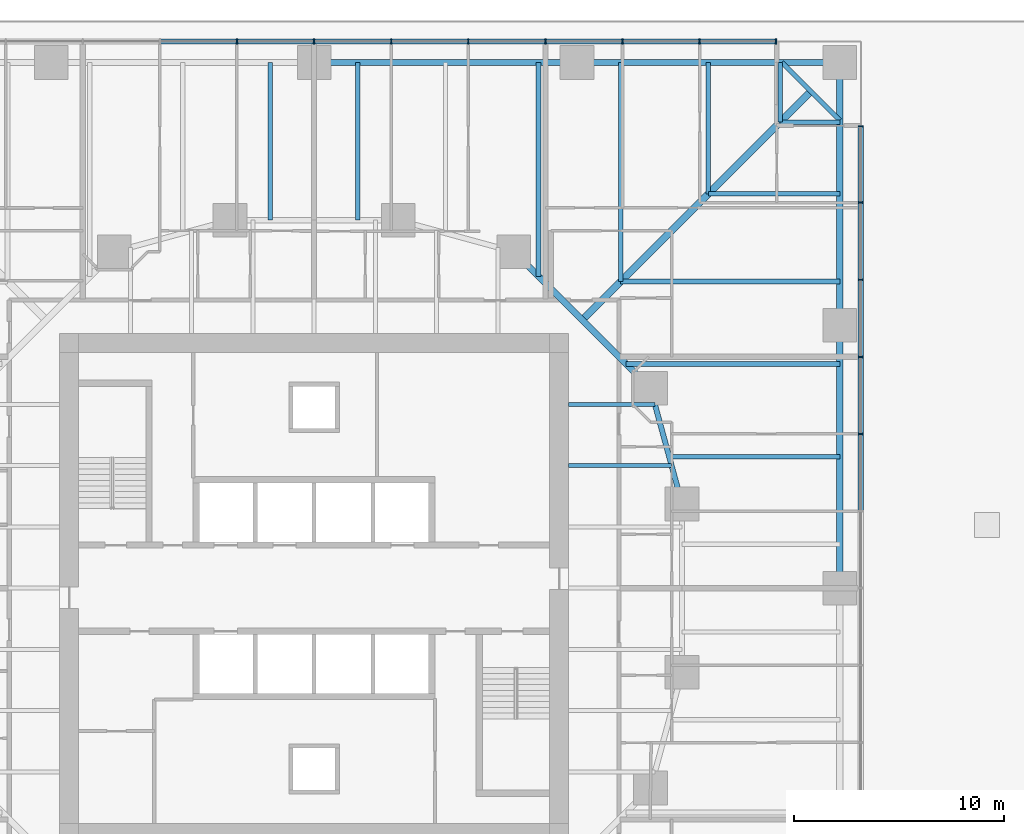
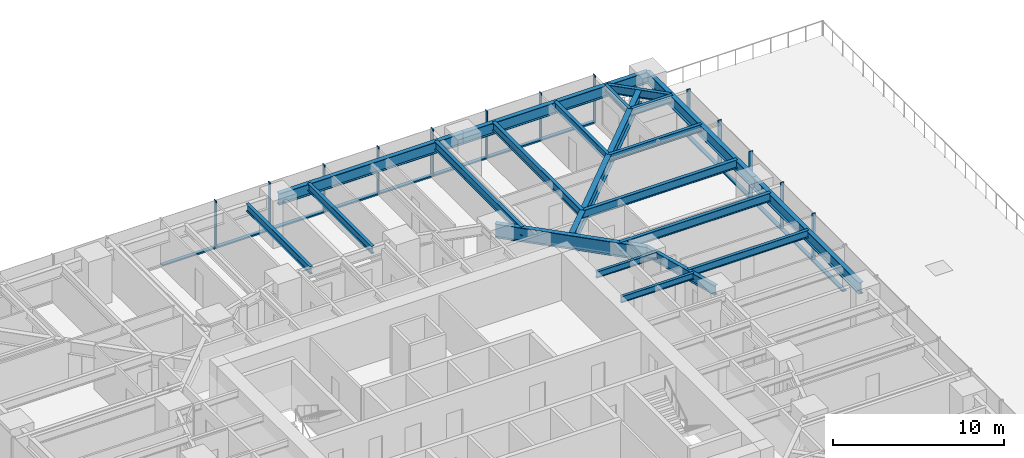
# One storey, part 5 of 15: 26 members, 21 beams, 2 elements without a shape of their own.
"""IFC4 building model written with IfcOpenShell, lengths in metres."""

import ifcopenshell
import ifcopenshell.guid

model = None  # the IFC model being written
_history = None  # IfcOwnerHistory: only IFC2X3 demands one
_inside = {}  # id of a spatial element -> (the spatial element, [elements in it])
_under = {}  # id of a project, library or spatial element -> (it, [spatial elements below it])
_declared = {}  # id of a project -> (the project, [libraries it declares])
_typed = {}  # id of a type object -> (the type object, [elements of that type])
_made_of = {}  # id of a material, layer set ... -> (it, [elements and type objects made of it])


def new_model(schema):
    """Start an empty IFC model of exactly this schema.

    Asked for "IFC4X3", IfcOpenShell would pick the latest addendum, in which some entities
    have other attributes; the version numbers below select the first issue.
    IFC2X3 requires an IfcOwnerHistory on every rooted entity: one is made here for all.
    """
    global model, _history
    if schema == "IFC4X3":
        model = ifcopenshell.file(schema_version=(4, 3, 0, 0))
    else:
        model = ifcopenshell.file(schema=schema)
    _inside.clear()
    _under.clear()
    _declared.clear()
    _typed.clear()
    _made_of.clear()
    _history = None
    if model.schema == "IFC2X3":
        org = make("IfcOrganization", Name="unknown")
        user = make(
            "IfcPersonAndOrganization",
            ThePerson=make("IfcPerson", FamilyName="unknown"),
            TheOrganization=org,
        )
        app = make(
            "IfcApplication",
            ApplicationDeveloper=org,
            Version="unknown",
            ApplicationFullName="unknown",
            ApplicationIdentifier="unknown",
        )
        _history = make(
            "IfcOwnerHistory",
            OwningUser=user,
            OwningApplication=app,
            ChangeAction="ADDED",
            CreationDate=0,
        )
    return model


def make(cls, **values):
    """One entity of the class cls with the attributes given. An attribute that is None is left unset."""
    return model.create_entity(
        cls, **{name: value for name, value in values.items() if value is not None}
    )


def rooted(cls, **values):
    """An entity with a GlobalId (a new one), such as an element, a storey or a relation."""
    return make(cls, GlobalId=ifcopenshell.guid.new(), OwnerHistory=_history, **values)


def si_unit(unit_type, name, prefix=None):
    """IfcSIUnit, for example si_unit("LENGTHUNIT", "METRE", prefix="MILLI")."""
    return make("IfcSIUnit", UnitType=unit_type, Prefix=prefix, Name=name)


def assignment(units):
    """IfcUnitAssignment: the units of a project."""
    return None if units is None else make("IfcUnitAssignment", Units=units)


def point(xyz):
    """IfcCartesianPoint."""
    return None if xyz is None else make("IfcCartesianPoint", Coordinates=xyz)


def direction(xyz):
    """IfcDirection."""
    return None if xyz is None else make("IfcDirection", DirectionRatios=xyz)


def frame(location, z_axis=None, x_axis=None):
    """IfcAxis2Placement3D, a coordinate frame: its origin and axes. An axis left out is left unset."""
    return make(
        "IfcAxis2Placement3D",
        Location=point(location),
        Axis=direction(z_axis),
        RefDirection=direction(x_axis),
    )


def frame_2d(location, x_axis=None):
    """IfcAxis2Placement2D, a coordinate frame in the plane: its origin and x axis."""
    return make(
        "IfcAxis2Placement2D", Location=point(location), RefDirection=direction(x_axis)
    )


def origin():
    """The frame at (0, 0, 0) with its axes left unset."""
    return frame((0.0, 0.0, 0.0))


def origin_2d():
    """The frame at (0, 0) in the plane with its x axis left unset."""
    return frame_2d((0.0, 0.0))


def place(relative_to, where):
    """IfcLocalPlacement: puts the frame where relative to a parent placement (None: the world)."""
    return make(
        "IfcLocalPlacement", PlacementRelTo=relative_to, RelativePlacement=where
    )


def context(
    kind, dimensions, precision=None, world=None, true_north=None, identifier=None
):
    """IfcGeometricRepresentationContext, for example the 3D "Model" context."""
    return make(
        "IfcGeometricRepresentationContext",
        ContextIdentifier=identifier,
        ContextType=kind,
        CoordinateSpaceDimension=dimensions,
        Precision=precision,
        WorldCoordinateSystem=world,
        TrueNorth=true_north,
    )


def subcontext(parent, identifier, kind, view, scale=None):
    """IfcGeometricRepresentationSubContext, for example "Body" below "Model"."""
    return make(
        "IfcGeometricRepresentationSubContext",
        ContextIdentifier=identifier,
        ContextType=kind,
        ParentContext=parent,
        TargetScale=scale,
        TargetView=view,
    )


def project(units=None, contexts=None):
    """IfcProject with its units and contexts."""
    return rooted(
        "IfcProject",
        Name="project",
        RepresentationContexts=contexts,
        UnitsInContext=assignment(units),
    )


def spatial(cls, under=None, at=None, **own):
    """A site, building, storey or space (cls), placed at a placement, below another one or the project."""
    s = rooted(cls, ObjectPlacement=at, **own)
    if under is not None:
        _under.setdefault(under.id(), (under, []))[1].append(s)
    return s


def profile(cls, at=None, kind="AREA", **sizes):
    """A parametric profile (cls). Its sizes go by their IFC names, for example OverallWidth=200.0."""
    return make(cls, ProfileType=kind, Position=at, **sizes)


def rectangle(**sizes):
    """IfcRectangleProfileDef."""
    return profile("IfcRectangleProfileDef", **sizes)


def i_section(**sizes):
    """IfcIShapeProfileDef."""
    return profile("IfcIShapeProfileDef", **sizes)


def extrude(swept, where, along, depth):
    """IfcExtrudedAreaSolid: the profile swept, set in the frame where, extruded along a direction by depth."""
    return make(
        "IfcExtrudedAreaSolid",
        SweptArea=swept,
        Position=where,
        ExtrudedDirection=direction(along),
        Depth=depth,
    )


def shape(context_of_items, identifier, shape_type, items):
    """IfcShapeRepresentation: the items that make up one representation, for example the "Body"."""
    return make(
        "IfcShapeRepresentation",
        ContextOfItems=context_of_items,
        RepresentationIdentifier=identifier,
        RepresentationType=shape_type,
        Items=items,
    )


def material(Name=None, Category=None):
    """IfcMaterial."""
    return make("IfcMaterial", Name=Name, Category=Category)


def material_profile(
    of_material, cross_section, Name=None, Category=None, Priority=None
):
    """IfcMaterialProfile: a cross section and its material."""
    return make(
        "IfcMaterialProfile",
        Name=Name,
        Material=of_material,
        Profile=cross_section,
        Priority=Priority,
        Category=Category,
    )


def profile_set(profiles, Name=None, composite=None):
    """IfcMaterialProfileSet."""
    return make(
        "IfcMaterialProfileSet",
        Name=Name,
        MaterialProfiles=profiles,
        CompositeProfile=composite,
    )


def made_of(thing, what):
    """Note that an element or type object is made of a material, layer set ...; save() writes the relation."""
    if what is not None:
        _made_of.setdefault(what.id(), (what, []))[1].append(thing)
    return thing


def type_object(cls, material=None, **own):
    """A type object (cls), such as IfcWallType, which elements share."""
    return made_of(rooted(cls, **own), material)


def element(
    cls,
    number,
    at=None,
    inside=None,
    cuts=None,
    type_object=None,
    material=None,
    context=None,
    identifier="Body",
    shape_type=None,
    held_by="IfcProductDefinitionShape",
    body=None,
    shapes=None,
    **own,
):
    """One element of the class cls, such as IfcWall. Its Tag is "e" and its number.

    at: its placement. inside: the storey or other place that contains it. cuts: it is an
    opening in that element (IfcRelVoidsElement). A single representation is given by context,
    identifier, shape_type and body (its items); several are given by shapes. held_by: the class
    of the entity that holds the representations. save() writes the other relations.
    """
    e = rooted(cls, Tag="e%d" % number, ObjectPlacement=at, **own)
    if body is not None:
        shapes = [shape(context, identifier, shape_type, body)]
    if shapes is not None:
        e.Representation = make(held_by, Representations=shapes)
    if inside is not None:
        _inside.setdefault(inside.id(), (inside, []))[1].append(e)
    if cuts is not None:
        rooted(
            "IfcRelVoidsElement", RelatingBuildingElement=cuts, RelatedOpeningElement=e
        )
    if type_object is not None:
        _typed.setdefault(type_object.id(), (type_object, []))[1].append(e)
    return made_of(e, material)


def aggregate(whole, parts):
    """IfcRelAggregates: a whole, such as a stair, and the parts it consists of."""
    return rooted("IfcRelAggregates", RelatingObject=whole, RelatedObjects=parts)


def save(model, path):
    """Write the relations noted so far, then the file.

    IfcRelAggregates (storeys below a building ...), IfcRelContainedInSpatialStructure (elements
    in a storey), IfcRelDefinesByType, IfcRelAssociatesMaterial and IfcRelDeclares: one each for
    every whole, place, type object, material and project.
    """
    for whole, parts in _under.values():
        aggregate(whole, parts)
    for where, things in _inside.values():
        rooted(
            "IfcRelContainedInSpatialStructure",
            RelatedElements=things,
            RelatingStructure=where,
        )
    for kind, things in _typed.values():
        rooted("IfcRelDefinesByType", RelatedObjects=things, RelatingType=kind)
    for what, things in _made_of.values():
        rooted("IfcRelAssociatesMaterial", RelatedObjects=things, RelatingMaterial=what)
    for by, libraries in _declared.values():
        rooted("IfcRelDeclares", RelatingContext=by, RelatedDefinitions=libraries)
    model.write(path)


model = new_model("IFC4")

# Units and contexts
model_context = context("Model", 3, precision=1e-05, world=origin(), true_north=direction((0.0, 1.0)))
body_context = subcontext(model_context, "Body", "Model", "MODEL_VIEW")
ifc_project = project(units=[si_unit("LENGTHUNIT", "METRE"), si_unit("AREAUNIT", "SQUARE_METRE"), si_unit("VOLUMEUNIT", "CUBIC_METRE"), si_unit("PLANEANGLEUNIT", "RADIAN"), si_unit("MASSUNIT", "GRAM", prefix="KILO")], contexts=[model_context])

# Site, building, storey
site_placement = place(None, origin())
site = spatial("IfcSite", under=ifc_project, at=site_placement, CompositionType="ELEMENT")
building_placement = place(site_placement, origin())
building = spatial("IfcBuilding", under=site, at=building_placement, Name="Torsade Residences", CompositionType="ELEMENT")
storey_placement = place(building_placement, frame((0.0, 0.0, 15.0)))
storey = spatial("IfcBuildingStorey", under=building, at=storey_placement, Name="L03", CompositionType="ELEMENT", Elevation=15.0)

# Beams
ifc_material_1 = material(Name="Steel grade 300", Category="steel")
ifc_material_profile_1 = material_profile(ifc_material_1, i_section(OverallWidth=0.35009765625, OverallDepth=0.909912109375, WebThickness=0.011962890625, FlangeThickness=0.02490234375, at=origin_2d()), Name="900WB218")
ifc_profile_set_1 = profile_set([ifc_material_profile_1], Name="Steel grade 300")
beam_type_1 = type_object("IfcBeamType", Name="CORNER GIRDER 900WB218", PredefinedType="BEAM", material=ifc_profile_set_1)
beam_1_placement = place(storey_placement, frame((63.625, 53.625, 2.794921875), z_axis=(-0.707106781187, -0.707106781187, 0.0), x_axis=(0.707106781187, -0.707106781187, 0.0)))
element("IfcBeam", 1, at=beam_1_placement, inside=storey, type_object=beam_type_1, Name="Corner girder 09 L04", PredefinedType="BEAM", context=body_context, shape_type="SweptSolid", body=[
    extrude(i_section(OverallWidth=0.35009765625, OverallDepth=0.909912109375, WebThickness=0.011962890625, FlangeThickness=0.02490234375, at=origin_2d()), origin(), (0.0, 0.0, 1.0), 15.379638671875),
])
ifc_material_2 = material(Name="Steel grade 300", Category="steel")
ifc_material_profile_2 = material_profile(ifc_material_2, i_section(OverallWidth=0.22802734375, OverallDepth=0.60205078125, WebThickness=0.010498046875, FlangeThickness=0.014892578125, FilletRadius=0.013916015625, at=origin_2d()), Name="610UB101")
ifc_profile_set_2 = profile_set([ifc_material_profile_2], Name="Steel grade 300")
beam_type_2 = type_object("IfcBeamType", Name="CORNER TRIMMER 610UB101", PredefinedType="BEAM", material=ifc_profile_set_2)
beam_2_placement = place(storey_placement, frame((62.25, 55.0, 2.948974609375), z_axis=(0.707106781187, -0.707106781187, 0.0), x_axis=(0.707106781187, 0.707106781187, 0.0)))
element("IfcBeam", 2, at=beam_2_placement, inside=storey, type_object=beam_type_2, Name="Corner trimmer 09 L04", PredefinedType="BEAM", context=body_context, shape_type="SweptSolid", body=[
    extrude(i_section(OverallWidth=0.22802734375, OverallDepth=0.60205078125, WebThickness=0.010498046875, FlangeThickness=0.014892578125, FilletRadius=0.013916015625, at=origin_2d()), origin(), (0.0, 0.0, 1.0), 3.88916015625),
])

# Curtain wall, members
ifc_material_3 = material(Name="Aluminium and glass", Category="aluminium")
curtain_wall_type = type_object("IfcCurtainWallType", Name="FRITTED GLASS CURTAIN WALL LOW ZONE", PredefinedType="NOTDEFINED", material=ifc_material_3)
curtain_wall_1_placement = place(storey_placement, origin())
curtain_wall_1 = element("IfcCurtainWall", 3, at=curtain_wall_1_placement, inside=storey, type_object=curtain_wall_type, Name="Curtain wall L03 face 4", PredefinedType="NOTDEFINED")
ifc_material_4 = material(Name="Aluminium mullion", Category="aluminium")
ifc_material_profile_3 = material_profile(ifc_material_4, rectangle(XDim=0.25, YDim=0.06494140625, at=origin_2d()), Name="CURTAIN WALL MULLION 250x65")
ifc_profile_set_3 = profile_set([ifc_material_profile_3], Name="Aluminium mullion")
member_type_1 = type_object("IfcMemberType", Name="CURTAIN WALL MULLION 250x65", PredefinedType="MULLION", material=ifc_profile_set_3)
member_1_placement = place(storey_placement, frame((66.0, 37.333251953125, 0.0), z_axis=(0.0, 0.0, 1.0), x_axis=(-1.0, 0.0, 0.0)))
member_1 = element("IfcMember", 4, at=member_1_placement, type_object=member_type_1, Name="Mullion 9", PredefinedType="MULLION", context=body_context, shape_type="SweptSolid", body=[
    extrude(rectangle(XDim=0.25, YDim=0.06494140625, at=origin_2d()), origin(), (0.0, 0.0, 1.0), 3.39990234375),
])
member_2_placement = place(storey_placement, frame((66.0, 41.0, 0.0), z_axis=(0.0, 0.0, 1.0), x_axis=(-1.0, 0.0, 0.0)))
member_2 = element("IfcMember", 5, at=member_2_placement, type_object=member_type_1, Name="Mullion 10", PredefinedType="MULLION", context=body_context, shape_type="SweptSolid", body=[
    extrude(rectangle(XDim=0.25, YDim=0.06494140625, at=origin_2d()), origin(), (0.0, 0.0, 1.0), 3.39990234375),
])
member_3_placement = place(storey_placement, frame((66.0, 44.666748046875, 0.0), z_axis=(0.0, 0.0, 1.0), x_axis=(-1.0, 0.0, 0.0)))
member_3 = element("IfcMember", 6, at=member_3_placement, type_object=member_type_1, Name="Mullion 11", PredefinedType="MULLION", context=body_context, shape_type="SweptSolid", body=[
    extrude(rectangle(XDim=0.25, YDim=0.06494140625, at=origin_2d()), origin(), (0.0, 0.0, 1.0), 3.39990234375),
])
member_4_placement = place(storey_placement, frame((66.0, 48.333251953125, 0.0), z_axis=(0.0, 0.0, 1.0), x_axis=(-1.0, 0.0, 0.0)))
member_4 = element("IfcMember", 7, at=member_4_placement, type_object=member_type_1, Name="Mullion 12", PredefinedType="MULLION", context=body_context, shape_type="SweptSolid", body=[
    extrude(rectangle(XDim=0.25, YDim=0.06494140625, at=origin_2d()), origin(), (0.0, 0.0, 1.0), 3.39990234375),
])
member_5_placement = place(storey_placement, frame((66.0, 51.967529296875, 0.0), z_axis=(0.0, 0.0, 1.0), x_axis=(-1.0, 0.0, 0.0)))
member_5 = element("IfcMember", 8, at=member_5_placement, type_object=member_type_1, Name="Mullion 13", PredefinedType="MULLION", context=body_context, shape_type="SweptSolid", body=[
    extrude(rectangle(XDim=0.25, YDim=0.06494140625, at=origin_2d()), origin(), (0.0, 0.0, 1.0), 3.39990234375),
])

curtain_wall_2_placement = place(storey_placement, origin())
curtain_wall_2 = element("IfcCurtainWall", 9, at=curtain_wall_2_placement, inside=storey, type_object=curtain_wall_type, Name="Curtain wall L03 face 7", PredefinedType="NOTDEFINED")
member_6_placement = place(storey_placement, frame((61.967529296875, 56.0, 0.0), z_axis=(0.0, 0.0, 1.0), x_axis=(0.0, -1.0, 0.0)))
member_6 = element("IfcMember", 10, at=member_6_placement, type_object=member_type_1, Name="Mullion 1", PredefinedType="MULLION", context=body_context, shape_type="SweptSolid", body=[
    extrude(rectangle(XDim=0.25, YDim=0.06494140625, at=origin_2d()), origin(), (0.0, 0.0, 1.0), 3.39990234375),
])
member_7_placement = place(storey_placement, frame((58.333251953125, 56.0, 0.0), z_axis=(0.0, 0.0, 1.0), x_axis=(0.0, -1.0, 0.0)))
member_7 = element("IfcMember", 11, at=member_7_placement, type_object=member_type_1, Name="Mullion 2", PredefinedType="MULLION", context=body_context, shape_type="SweptSolid", body=[
    extrude(rectangle(XDim=0.25, YDim=0.06494140625, at=origin_2d()), origin(), (0.0, 0.0, 1.0), 3.39990234375),
])
member_8_placement = place(storey_placement, frame((54.666748046875, 56.0, 0.0), z_axis=(0.0, 0.0, 1.0), x_axis=(0.0, -1.0, 0.0)))
member_8 = element("IfcMember", 12, at=member_8_placement, type_object=member_type_1, Name="Mullion 3", PredefinedType="MULLION", context=body_context, shape_type="SweptSolid", body=[
    extrude(rectangle(XDim=0.25, YDim=0.06494140625, at=origin_2d()), origin(), (0.0, 0.0, 1.0), 3.39990234375),
])
member_9_placement = place(storey_placement, frame((51.0, 56.0, 0.0), z_axis=(0.0, 0.0, 1.0), x_axis=(0.0, -1.0, 0.0)))
member_9 = element("IfcMember", 13, at=member_9_placement, type_object=member_type_1, Name="Mullion 4", PredefinedType="MULLION", context=body_context, shape_type="SweptSolid", body=[
    extrude(rectangle(XDim=0.25, YDim=0.06494140625, at=origin_2d()), origin(), (0.0, 0.0, 1.0), 3.39990234375),
])
member_10_placement = place(storey_placement, frame((47.333251953125, 56.0, 0.0), z_axis=(0.0, 0.0, 1.0), x_axis=(0.0, -1.0, 0.0)))
member_10 = element("IfcMember", 14, at=member_10_placement, type_object=member_type_1, Name="Mullion 5", PredefinedType="MULLION", context=body_context, shape_type="SweptSolid", body=[
    extrude(rectangle(XDim=0.25, YDim=0.06494140625, at=origin_2d()), origin(), (0.0, 0.0, 1.0), 3.39990234375),
])
member_11_placement = place(storey_placement, frame((43.666748046875, 56.0, 0.0), z_axis=(0.0, 0.0, 1.0), x_axis=(0.0, -1.0, 0.0)))
member_11 = element("IfcMember", 15, at=member_11_placement, type_object=member_type_1, Name="Mullion 6", PredefinedType="MULLION", context=body_context, shape_type="SweptSolid", body=[
    extrude(rectangle(XDim=0.25, YDim=0.06494140625, at=origin_2d()), origin(), (0.0, 0.0, 1.0), 3.39990234375),
])
member_12_placement = place(storey_placement, frame((40.0, 56.0, 0.0), z_axis=(0.0, 0.0, 1.0), x_axis=(0.0, -1.0, 0.0)))
member_12 = element("IfcMember", 16, at=member_12_placement, type_object=member_type_1, Name="Mullion 7", PredefinedType="MULLION", context=body_context, shape_type="SweptSolid", body=[
    extrude(rectangle(XDim=0.25, YDim=0.06494140625, at=origin_2d()), origin(), (0.0, 0.0, 1.0), 3.39990234375),
])
member_13_placement = place(storey_placement, frame((36.333251953125, 56.0, 0.0), z_axis=(0.0, 0.0, 1.0), x_axis=(0.0, -1.0, 0.0)))
member_13 = element("IfcMember", 17, at=member_13_placement, type_object=member_type_1, Name="Mullion 8", PredefinedType="MULLION", context=body_context, shape_type="SweptSolid", body=[
    extrude(rectangle(XDim=0.25, YDim=0.06494140625, at=origin_2d()), origin(), (0.0, 0.0, 1.0), 3.39990234375),
])

# Member
ifc_material_5 = material(Name="Aluminium transom", Category="aluminium")
ifc_material_profile_4 = material_profile(ifc_material_5, rectangle(XDim=0.25, YDim=0.10009765625, at=origin_2d()), Name="CURTAIN WALL TRANSOM 250x100")
ifc_profile_set_4 = profile_set([ifc_material_profile_4], Name="Aluminium transom")
member_type_2 = type_object("IfcMemberType", Name="CURTAIN WALL TRANSOM 250x100", PredefinedType="USERDEFINED", material=ifc_profile_set_4)
member_14_placement = place(storey_placement, frame((66.0, 33.69921875, 0.050048828125), z_axis=(0.0, 1.0, 0.0), x_axis=(-1.0, 0.0, 0.0)))
member_14 = element("IfcMember", 18, at=member_14_placement, type_object=member_type_2, Name="Transom 8.1", ObjectType="TRANSOM", PredefinedType="USERDEFINED", context=body_context, shape_type="SweptSolid", body=[
    extrude(rectangle(XDim=0.25, YDim=0.10009765625, at=origin_2d()), origin(), (0.0, 0.0, 1.0), 3.6015625),
])

member_15_placement = place(storey_placement, frame((66.0, 37.36572265625, 0.050048828125), z_axis=(0.0, 1.0, 0.0), x_axis=(-1.0, 0.0, 0.0)))
member_15 = element("IfcMember", 19, at=member_15_placement, type_object=member_type_2, Name="Transom 9.1", ObjectType="TRANSOM", PredefinedType="USERDEFINED", context=body_context, shape_type="SweptSolid", body=[
    extrude(rectangle(XDim=0.25, YDim=0.10009765625, at=origin_2d()), origin(), (0.0, 0.0, 1.0), 3.601806640625),
])

member_16_placement = place(storey_placement, frame((66.0, 41.032470703125, 0.050048828125), z_axis=(0.0, 1.0, 0.0), x_axis=(-1.0, 0.0, 0.0)))
member_16 = element("IfcMember", 20, at=member_16_placement, type_object=member_type_2, Name="Transom 10.1", ObjectType="TRANSOM", PredefinedType="USERDEFINED", context=body_context, shape_type="SweptSolid", body=[
    extrude(rectangle(XDim=0.25, YDim=0.10009765625, at=origin_2d()), origin(), (0.0, 0.0, 1.0), 3.601806640625),
])

member_17_placement = place(storey_placement, frame((66.0, 44.69921875, 0.050048828125), z_axis=(0.0, 1.0, 0.0), x_axis=(-1.0, 0.0, 0.0)))
member_17 = element("IfcMember", 21, at=member_17_placement, type_object=member_type_2, Name="Transom 11.1", ObjectType="TRANSOM", PredefinedType="USERDEFINED", context=body_context, shape_type="SweptSolid", body=[
    extrude(rectangle(XDim=0.25, YDim=0.10009765625, at=origin_2d()), origin(), (0.0, 0.0, 1.0), 3.6015625),
])

member_18_placement = place(storey_placement, frame((66.0, 48.36572265625, 0.050048828125), z_axis=(0.0, 1.0, 0.0), x_axis=(-1.0, 0.0, 0.0)))
member_18 = element("IfcMember", 22, at=member_18_placement, type_object=member_type_2, Name="Transom 12.1", ObjectType="TRANSOM", PredefinedType="USERDEFINED", context=body_context, shape_type="SweptSolid", body=[
    extrude(rectangle(XDim=0.25, YDim=0.10009765625, at=origin_2d()), origin(), (0.0, 0.0, 1.0), 3.5693359375),
])

aggregate(curtain_wall_1, [member_1, member_2, member_3, member_4, member_5, member_14, member_15, member_16, member_17, member_18])

member_19_placement = place(storey_placement, frame((61.93505859375, 56.0, 0.050048828125), z_axis=(-1.0, 0.0, 0.0), x_axis=(0.0, -1.0, 0.0)))
member_19 = element("IfcMember", 23, at=member_19_placement, type_object=member_type_2, Name="Transom 1.1", ObjectType="TRANSOM", PredefinedType="USERDEFINED", context=body_context, shape_type="SweptSolid", body=[
    extrude(rectangle(XDim=0.25, YDim=0.10009765625, at=origin_2d()), origin(), (0.0, 0.0, 1.0), 3.5693359375),
])

member_20_placement = place(storey_placement, frame((58.30078125, 56.0, 0.050048828125), z_axis=(-1.0, 0.0, 0.0), x_axis=(0.0, -1.0, 0.0)))
member_20 = element("IfcMember", 24, at=member_20_placement, type_object=member_type_2, Name="Transom 2.1", ObjectType="TRANSOM", PredefinedType="USERDEFINED", context=body_context, shape_type="SweptSolid", body=[
    extrude(rectangle(XDim=0.25, YDim=0.10009765625, at=origin_2d()), origin(), (0.0, 0.0, 1.0), 3.6015625),
])

member_21_placement = place(storey_placement, frame((54.63427734375, 56.0, 0.050048828125), z_axis=(-1.0, 0.0, 0.0), x_axis=(0.0, -1.0, 0.0)))
member_21 = element("IfcMember", 25, at=member_21_placement, type_object=member_type_2, Name="Transom 3.1", ObjectType="TRANSOM", PredefinedType="USERDEFINED", context=body_context, shape_type="SweptSolid", body=[
    extrude(rectangle(XDim=0.25, YDim=0.10009765625, at=origin_2d()), origin(), (0.0, 0.0, 1.0), 3.601806640625),
])

member_22_placement = place(storey_placement, frame((50.967529296875, 56.0, 0.050048828125), z_axis=(-1.0, 0.0, 0.0), x_axis=(0.0, -1.0, 0.0)))
member_22 = element("IfcMember", 26, at=member_22_placement, type_object=member_type_2, Name="Transom 4.1", ObjectType="TRANSOM", PredefinedType="USERDEFINED", context=body_context, shape_type="SweptSolid", body=[
    extrude(rectangle(XDim=0.25, YDim=0.10009765625, at=origin_2d()), origin(), (0.0, 0.0, 1.0), 3.601806640625),
])

member_23_placement = place(storey_placement, frame((47.30078125, 56.0, 0.050048828125), z_axis=(-1.0, 0.0, 0.0), x_axis=(0.0, -1.0, 0.0)))
member_23 = element("IfcMember", 27, at=member_23_placement, type_object=member_type_2, Name="Transom 5.1", ObjectType="TRANSOM", PredefinedType="USERDEFINED", context=body_context, shape_type="SweptSolid", body=[
    extrude(rectangle(XDim=0.25, YDim=0.10009765625, at=origin_2d()), origin(), (0.0, 0.0, 1.0), 3.6015625),
])

member_24_placement = place(storey_placement, frame((43.63427734375, 56.0, 0.050048828125), z_axis=(-1.0, 0.0, 0.0), x_axis=(0.0, -1.0, 0.0)))
member_24 = element("IfcMember", 28, at=member_24_placement, type_object=member_type_2, Name="Transom 6.1", ObjectType="TRANSOM", PredefinedType="USERDEFINED", context=body_context, shape_type="SweptSolid", body=[
    extrude(rectangle(XDim=0.25, YDim=0.10009765625, at=origin_2d()), origin(), (0.0, 0.0, 1.0), 3.601806640625),
])

member_25_placement = place(storey_placement, frame((39.967529296875, 56.0, 0.050048828125), z_axis=(-1.0, 0.0, 0.0), x_axis=(0.0, -1.0, 0.0)))
member_25 = element("IfcMember", 29, at=member_25_placement, type_object=member_type_2, Name="Transom 7.1", ObjectType="TRANSOM", PredefinedType="USERDEFINED", context=body_context, shape_type="SweptSolid", body=[
    extrude(rectangle(XDim=0.25, YDim=0.10009765625, at=origin_2d()), origin(), (0.0, 0.0, 1.0), 3.601806640625),
])

member_26_placement = place(storey_placement, frame((36.30078125, 56.0, 0.050048828125), z_axis=(-1.0, 0.0, 0.0), x_axis=(0.0, -1.0, 0.0)))
member_26 = element("IfcMember", 30, at=member_26_placement, type_object=member_type_2, Name="Transom 8.1", ObjectType="TRANSOM", PredefinedType="USERDEFINED", context=body_context, shape_type="SweptSolid", body=[
    extrude(rectangle(XDim=0.25, YDim=0.10009765625, at=origin_2d()), origin(), (0.0, 0.0, 1.0), 3.6015625),
])

aggregate(curtain_wall_2, [member_6, member_7, member_8, member_9, member_10, member_11, member_12, member_13, member_19, member_20, member_21, member_22, member_23, member_24, member_25, member_26])

# Beams
ifc_material_6 = material(Name="Steel grade 300", Category="steel")
ifc_material_profile_5 = material_profile(ifc_material_6, i_section(OverallWidth=0.300048828125, OverallDepth=0.81591796875, WebThickness=0.010009765625, FlangeThickness=0.028076171875, at=origin_2d()), Name="800WB192")
ifc_profile_set_5 = profile_set([ifc_material_profile_5], Name="Steel grade 300")
beam_type_3 = type_object("IfcBeamType", Name="EDGE BEAM 800WB192", PredefinedType="SPANDREL", material=ifc_profile_set_5)
for number, where, z_axis, x_axis, name in (
    (31, (65.0, 30.0, 2.842041015625), (0.0, 1.0, 0.0), (-1.0, 0.0, 0.0), "Edge beam 07 L04"),
    (32, (65.0, 42.5, 2.842041015625), (0.0, 1.0, 0.0), (-1.0, 0.0, 0.0), "Edge beam 08 L04"),
    (33, (65.0, 55.0, 2.842041015625), (-1.0, 0.0, 0.0), (0.0, -1.0, 0.0), "Edge beam 09 L04"),
    (34, (52.5, 55.0, 2.842041015625), (-1.0, 0.0, 0.0), (0.0, -1.0, 0.0), "Edge beam 10 L04"),
):
    element("IfcBeam", number, at=place(storey_placement, frame(where, z_axis=z_axis, x_axis=x_axis)), inside=storey, type_object=beam_type_3, Name=name, PredefinedType="SPANDREL", context=body_context, shape_type="SweptSolid", body=[
        extrude(i_section(OverallWidth=0.300048828125, OverallDepth=0.81591796875, WebThickness=0.010009765625, FlangeThickness=0.028076171875, at=origin_2d()), origin(), (0.0, 0.0, 1.0), 12.5),
    ])
ifc_material_7 = material(Name="Steel grade 300", Category="steel")
ifc_material_profile_6 = material_profile(ifc_material_7, i_section(OverallWidth=0.18994140625, OverallDepth=0.4541015625, WebThickness=0.008544921875, FlangeThickness=0.0126953125, FilletRadius=0.011474609375, at=origin_2d()), Name="460UB67.1")
ifc_profile_set_6 = profile_set([ifc_material_profile_6], Name="Steel grade 300")
beam_type_4 = type_object("IfcBeamType", Name="INNER FLOOR BEAM 460UB67.1", PredefinedType="JOIST", material=ifc_profile_set_6)
beam_3_placement = place(storey_placement, frame((52.10009765625, 35.824951171875, 3.02294921875), z_axis=(1.0, 0.0, 0.0), x_axis=(0.0, 1.0, 0.0)))
element("IfcBeam", 35, at=beam_3_placement, inside=storey, type_object=beam_type_4, Name="Inner floor beam IE06 L04", PredefinedType="JOIST", context=body_context, shape_type="SweptSolid", body=[
    extrude(i_section(OverallWidth=0.18994140625, OverallDepth=0.4541015625, WebThickness=0.008544921875, FlangeThickness=0.0126953125, FilletRadius=0.011474609375, at=origin_2d()), origin(), (0.0, 0.0, 1.0), 4.902099609375),
])
beam_4_placement = place(storey_placement, frame((52.10009765625, 38.737548828125, 3.02294921875), z_axis=(1.0, 0.0, 0.0), x_axis=(0.0, 1.0, 0.0)))
element("IfcBeam", 36, at=beam_4_placement, inside=storey, type_object=beam_type_4, Name="Inner floor beam IE07 L04", PredefinedType="JOIST", context=body_context, shape_type="SweptSolid", body=[
    extrude(i_section(OverallWidth=0.18994140625, OverallDepth=0.4541015625, WebThickness=0.008544921875, FlangeThickness=0.0126953125, FilletRadius=0.011474609375, at=origin_2d()), origin(), (0.0, 0.0, 1.0), 4.10791015625),
])
ifc_material_8 = material(Name="Steel grade 300", Category="steel")
ifc_material_profile_7 = material_profile(ifc_material_8, i_section(OverallWidth=0.300048828125, OverallDepth=1.0, WebThickness=0.01611328125, FlangeThickness=0.028076171875, at=origin_2d()), Name="1000WB215")
ifc_profile_set_7 = profile_set([ifc_material_profile_7], Name="Steel grade 300")
beam_type_5 = type_object("IfcBeamType", Name="RING CORNER GIRDER 1000WB215", PredefinedType="BEAM", material=ifc_profile_set_7)
beam_5_placement = place(storey_placement, frame((56.0, 39.5, 2.75), z_axis=(-0.707106781187, 0.707106781187, 0.0), x_axis=(-0.707106781187, -0.707106781187, 0.0)))
element("IfcBeam", 37, at=beam_5_placement, inside=storey, type_object=beam_type_5, Name="Ring girder IR03 L04", PredefinedType="BEAM", context=body_context, shape_type="SweptSolid", body=[
    extrude(i_section(OverallWidth=0.300048828125, OverallDepth=1.0, WebThickness=0.01611328125, FlangeThickness=0.028076171875, at=origin_2d()), origin(), (0.0, 0.0, 1.0), 9.1923828125),
])
ifc_material_9 = material(Name="Steel grade 300", Category="steel")
ifc_material_profile_8 = material_profile(ifc_material_9, i_section(OverallWidth=0.25, OverallDepth=0.699951171875, WebThickness=0.010009765625, FlangeThickness=0.02001953125, at=origin_2d()), Name="700WB130")
ifc_profile_set_8 = profile_set([ifc_material_profile_8], Name="Steel grade 300")
beam_type_6 = type_object("IfcBeamType", Name="RING GIRDER 700WB130", PredefinedType="BEAM", material=ifc_profile_set_8)
beam_6_placement = place(storey_placement, frame((57.5, 34.0, 2.89990234375), z_axis=(-0.263117405792, 0.964763821238, 0.0), x_axis=(-0.964763821238, -0.263117405792, 0.0)))
element("IfcBeam", 38, at=beam_6_placement, inside=storey, type_object=beam_type_6, Name="Ring girder IR02 L04", PredefinedType="BEAM", context=body_context, shape_type="SweptSolid", body=[
    extrude(i_section(OverallWidth=0.25, OverallDepth=0.699951171875, WebThickness=0.010009765625, FlangeThickness=0.02001953125, at=origin_2d()), origin(), (0.0, 0.0, 1.0), 5.700927734375),
])
ifc_material_10 = material(Name="Steel grade 300", Category="steel")
ifc_material_profile_9 = material_profile(ifc_material_10, i_section(OverallWidth=0.208984375, OverallDepth=0.528076171875, WebThickness=0.009521484375, FlangeThickness=0.01318359375, FilletRadius=0.013916015625, at=origin_2d()), Name="530UB82.0")
ifc_profile_set_9 = profile_set([ifc_material_profile_9], Name="Steel grade 300")
beam_type_7 = type_object("IfcBeamType", Name="SECONDARY BEAM 530UB82.0", PredefinedType="JOIST", material=ifc_profile_set_9)
beam_7_placement = place(storey_placement, frame((65.0, 36.25, 2.986083984375), z_axis=(-1.0, 0.0, 0.0), x_axis=(0.0, -1.0, 0.0)))
element("IfcBeam", 39, at=beam_7_placement, inside=storey, type_object=beam_type_7, Name="Floor beam FE08 L04", PredefinedType="JOIST", context=body_context, shape_type="SweptSolid", body=[
    extrude(i_section(OverallWidth=0.208984375, OverallDepth=0.528076171875, WebThickness=0.009521484375, FlangeThickness=0.01318359375, FilletRadius=0.013916015625, at=origin_2d()), origin(), (0.0, 0.0, 1.0), 8.113525390625),
])
beam_8_placement = place(storey_placement, frame((65.0, 48.75, 2.986083984375), z_axis=(-1.0, 0.0, 0.0), x_axis=(0.0, -1.0, 0.0)))
element("IfcBeam", 40, at=beam_8_placement, inside=storey, type_object=beam_type_7, Name="Floor beam FE11 L04", PredefinedType="JOIST", context=body_context, shape_type="SweptSolid", body=[
    extrude(i_section(OverallWidth=0.208984375, OverallDepth=0.528076171875, WebThickness=0.009521484375, FlangeThickness=0.01318359375, FilletRadius=0.013916015625, at=origin_2d()), origin(), (0.0, 0.0, 1.0), 6.25),
])
for number, where, z_axis, x_axis, name in (
    (41, (65.0, 52.166748046875, 2.986083984375), (-1.0, 0.0, 0.0), (0.0, -1.0, 0.0), "Floor beam FE12 L04"),
    (42, (62.166748046875, 55.0, 2.986083984375), (0.0, -1.0, 0.0), (1.0, 0.0, 0.0), "Floor beam FN01 L04"),
):
    element("IfcBeam", number, at=place(storey_placement, frame(where, z_axis=z_axis, x_axis=x_axis)), inside=storey, type_object=beam_type_7, Name=name, PredefinedType="JOIST", context=body_context, shape_type="SweptSolid", body=[
        extrude(i_section(OverallWidth=0.208984375, OverallDepth=0.528076171875, WebThickness=0.009521484375, FlangeThickness=0.01318359375, FilletRadius=0.013916015625, at=origin_2d()), origin(), (0.0, 0.0, 1.0), 2.833251953125),
    ])
beam_9_placement = place(storey_placement, frame((58.75, 55.0, 2.986083984375), z_axis=(0.0, -1.0, 0.0), x_axis=(1.0, 0.0, 0.0)))
element("IfcBeam", 43, at=beam_9_placement, inside=storey, type_object=beam_type_7, Name="Floor beam FN02 L04", PredefinedType="JOIST", context=body_context, shape_type="SweptSolid", body=[
    extrude(i_section(OverallWidth=0.208984375, OverallDepth=0.528076171875, WebThickness=0.009521484375, FlangeThickness=0.01318359375, FilletRadius=0.013916015625, at=origin_2d()), origin(), (0.0, 0.0, 1.0), 6.25),
])
for number, where, z_axis, x_axis, name in (
    (44, (42.083251953125, 55.0, 2.986083984375), (0.0, -1.0, 0.0), (1.0, 0.0, 0.0), "Floor beam FN06 L04"),
    (45, (37.916748046875, 55.0, 2.986083984375), (0.0, -1.0, 0.0), (1.0, 0.0, 0.0), "Floor beam FN07 L04"),
):
    element("IfcBeam", number, at=place(storey_placement, frame(where, z_axis=z_axis, x_axis=x_axis)), inside=storey, type_object=beam_type_7, Name=name, PredefinedType="JOIST", context=body_context, shape_type="SweptSolid", body=[
        extrude(i_section(OverallWidth=0.208984375, OverallDepth=0.528076171875, WebThickness=0.009521484375, FlangeThickness=0.01318359375, FilletRadius=0.013916015625, at=origin_2d()), origin(), (0.0, 0.0, 1.0), 7.5),
    ])
ifc_material_11 = material(Name="Steel grade 300", Category="steel")
ifc_material_profile_10 = material_profile(ifc_material_11, i_section(OverallWidth=0.22900390625, OverallDepth=0.612060546875, WebThickness=0.011962890625, FlangeThickness=0.01953125, FilletRadius=0.013916015625, at=origin_2d()), Name="610UB125")
ifc_profile_set_10 = profile_set([ifc_material_profile_10], Name="Steel grade 300")
beam_type_8 = type_object("IfcBeamType", Name="SECONDARY BEAM 610UB125", PredefinedType="JOIST", material=ifc_profile_set_10)
beam_10_placement = place(storey_placement, frame((65.0, 40.666748046875, 2.944091796875), z_axis=(-1.0, 0.0, 0.0), x_axis=(0.0, -1.0, 0.0)))
element("IfcBeam", 46, at=beam_10_placement, inside=storey, type_object=beam_type_8, Name="Floor beam FE09 L04", PredefinedType="JOIST", context=body_context, shape_type="SweptSolid", body=[
    extrude(i_section(OverallWidth=0.22900390625, OverallDepth=0.612060546875, WebThickness=0.011962890625, FlangeThickness=0.01953125, FilletRadius=0.013916015625, at=origin_2d()), origin(), (0.0, 0.0, 1.0), 10.166748046875),
])
for number, where, z_axis, x_axis, name in (
    (47, (65.0, 44.583251953125, 2.944091796875), (-1.0, 0.0, 0.0), (0.0, -1.0, 0.0), "Floor beam FE10 L04"),
    (48, (54.583251953125, 55.0, 2.944091796875), (0.0, -1.0, 0.0), (1.0, 0.0, 0.0), "Floor beam FN03 L04"),
):
    element("IfcBeam", number, at=place(storey_placement, frame(where, z_axis=z_axis, x_axis=x_axis)), inside=storey, type_object=beam_type_8, Name=name, PredefinedType="JOIST", context=body_context, shape_type="SweptSolid", body=[
        extrude(i_section(OverallWidth=0.22900390625, OverallDepth=0.612060546875, WebThickness=0.011962890625, FlangeThickness=0.01953125, FilletRadius=0.013916015625, at=origin_2d()), origin(), (0.0, 0.0, 1.0), 10.416748046875),
    ])
beam_11_placement = place(storey_placement, frame((50.666748046875, 55.0, 2.944091796875), z_axis=(0.0, -1.0, 0.0), x_axis=(1.0, 0.0, 0.0)))
element("IfcBeam", 49, at=beam_11_placement, inside=storey, type_object=beam_type_8, Name="Floor beam FN04 L04", PredefinedType="JOIST", context=body_context, shape_type="SweptSolid", body=[
    extrude(i_section(OverallWidth=0.22900390625, OverallDepth=0.612060546875, WebThickness=0.011962890625, FlangeThickness=0.01953125, FilletRadius=0.013916015625, at=origin_2d()), origin(), (0.0, 0.0, 1.0), 10.166748046875),
])

save(model, "model.ifc")
